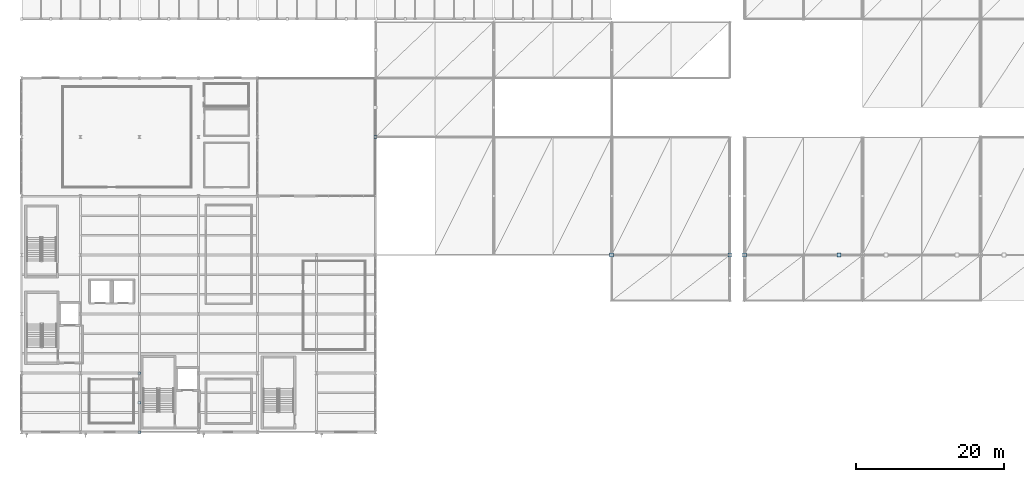
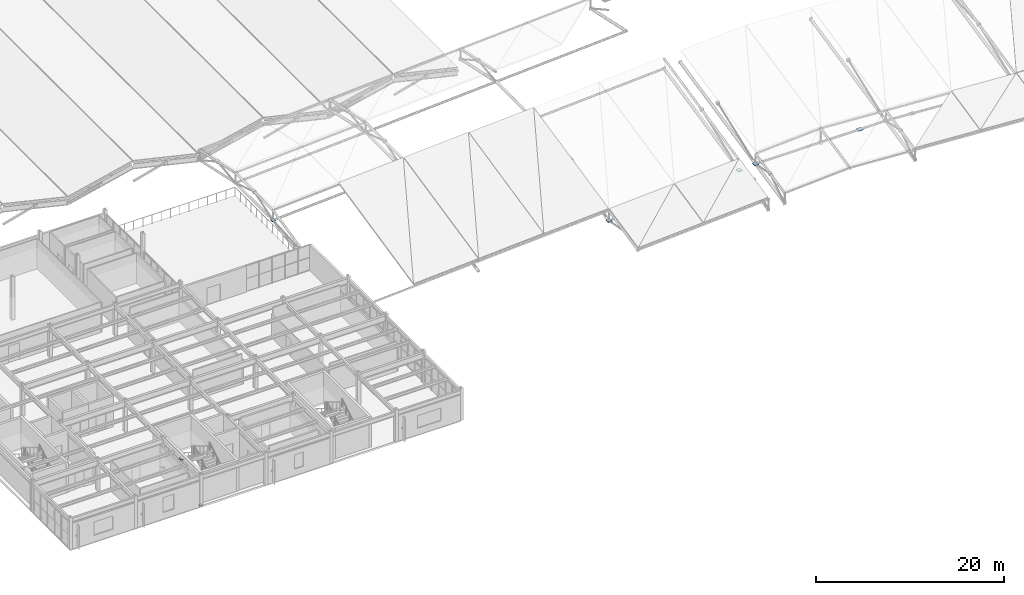
# One storey, part 40 of 67: 8 plates.
"""IFC4 building model written with IfcOpenShell, lengths in metres."""

from ifc_helpers import new_model, si_unit, direction, frame, origin, origin_2d, place, context, subcontext, project, spatial, rectangle, extrude, material, layer, layer_set, type_object, element, save


model = new_model("IFC4")

# Units and contexts
model_context = context("Model", 3, precision=1e-05, world=origin(), true_north=direction((0.0, 1.0)))
body_context = subcontext(model_context, "Body", "Model", "MODEL_VIEW")
ifc_project = project(units=[si_unit("LENGTHUNIT", "METRE"), si_unit("AREAUNIT", "SQUARE_METRE"), si_unit("VOLUMEUNIT", "CUBIC_METRE"), si_unit("PLANEANGLEUNIT", "RADIAN"), si_unit("MASSUNIT", "GRAM", prefix="KILO")], contexts=[model_context])

# Site, building, storey
site_placement = place(None, origin())
site = spatial("IfcSite", under=ifc_project, at=site_placement, CompositionType="ELEMENT")
building_placement = place(site_placement, origin())
building = spatial("IfcBuilding", under=site, at=building_placement, Name="Drelvath Fold Interchange", CompositionType="ELEMENT")
storey_placement = place(building_placement, frame((0.0, 0.0, 15.60009765625)))
storey = spatial("IfcBuildingStorey", under=building, at=storey_placement, Name="L03", CompositionType="ELEMENT", Elevation=15.60009765625)

# Plates
ifc_material = material(Name="Steel ASTM A572 Grade 50", Category="steel")
ifc_layer_1 = layer(ifc_material, 0.080078125, Name="Steel ASTM A572 Grade 50")
ifc_layer_set_1 = layer_set([ifc_layer_1], Name="Steel ASTM A572 Grade 50")
plate_type_1 = type_object("IfcPlateType", Name="SN-01", PredefinedType="USERDEFINED", material=ifc_layer_set_1)
for number, where, z_axis, x_axis, name in (
    (1, (84.0, 27.0, 0.015869140625), (0.0, 0.0, 1.0), (1.0, 0.0, 0.0), "Space frame column bearing node SN-01"),
    (2, (100.0, 27.0, 0.978759765625), (0.0, 0.0, 1.0), (1.0, 0.0, 0.0), "Space frame column bearing node SN-01"),
    (3, (102.0, 27.0, 1.098876953125), (0.0, 0.0, 1.0), (1.0, 0.0, 0.0), "Space frame column bearing node SN-01"),
):
    element("IfcPlate", number, at=place(storey_placement, frame(where, z_axis=z_axis, x_axis=x_axis)), inside=storey, type_object=plate_type_1, Name=name, ObjectType="GUSSET PLATE", PredefinedType="USERDEFINED", context=body_context, shape_type="SweptSolid", body=[
        extrude(rectangle(XDim=0.52001953125, YDim=0.52001953125, at=origin_2d()), origin(), (0.0, 0.0, 1.0), 0.080078125),
    ])
ifc_layer_2 = layer(ifc_material, 0.06005859375, Name="Steel ASTM A572 Grade 50")
ifc_layer_set_2 = layer_set([ifc_layer_2], Name="Steel ASTM A572 Grade 50")
plate_type_2 = type_object("IfcPlateType", Name="SN-02", PredefinedType="USERDEFINED", material=ifc_layer_set_2)
plate_1_placement = place(storey_placement, frame((52.0, 43.0, 1.58984375), z_axis=(0.0, 0.0, 1.0), x_axis=(1.0, 0.0, 0.0)))
element("IfcPlate", 4, at=plate_1_placement, inside=storey, type_object=plate_type_2, Name="Space frame spine node SN-02", ObjectType="GUSSET PLATE", PredefinedType="USERDEFINED", context=body_context, shape_type="SweptSolid", body=[
    extrude(rectangle(XDim=0.43994140625, YDim=0.43994140625, at=origin_2d()), origin(), (0.0, 0.0, 1.0), 0.06005859375),
])
ifc_layer_3 = layer(ifc_material, 0.030029296875, Name="Steel ASTM A572 Grade 50")
ifc_layer_set_3 = layer_set([ifc_layer_3], Name="Steel ASTM A572 Grade 50")
plate_type_3 = type_object("IfcPlateType", Name="SN-04", PredefinedType="SHEET", material=ifc_layer_set_3)
for number, where, z_axis, x_axis, name in (
    (5, (20.0, 7.0, 3.65576171875), (0.0, 0.0, 1.0), (1.0, 0.0, 0.0), "Braced frame chevron apex gusset SN-04"),
    (6, (20.0, 3.0, 0.14501953125), (0.0, 0.0, 1.0), (1.0, 0.0, 0.0), "Braced frame column base gusset SN-04"),
    (7, (20.0, 11.0, 0.14501953125), (0.0, 0.0, 1.0), (1.0, 0.0, 0.0), "Braced frame column base gusset SN-04"),
):
    element("IfcPlate", number, at=place(storey_placement, frame(where, z_axis=z_axis, x_axis=x_axis)), inside=storey, type_object=plate_type_3, Name=name, PredefinedType="SHEET", context=body_context, shape_type="SweptSolid", body=[
        extrude(rectangle(XDim=0.360107421875, YDim=0.360107421875, at=origin_2d()), origin(), (0.0, 0.0, 1.0), 0.030029296875),
    ])
ifc_layer_4 = layer(ifc_material, 0.070068359375, Name="Steel ASTM A572 Grade 50")
ifc_layer_set_4 = layer_set([ifc_layer_4], Name="Steel ASTM A572 Grade 50")
plate_type_4 = type_object("IfcPlateType", Name="VN-02", PredefinedType="USERDEFINED", material=ifc_layer_set_4)
plate_2_placement = place(storey_placement, frame((114.800048828125, 27.0, 1.10205078125), z_axis=(0.0, 0.0, 1.0), x_axis=(1.0, 0.0, 0.0)))
element("IfcPlate", 8, at=plate_2_placement, inside=storey, type_object=plate_type_4, Name="Canopy V-strut head gusset VN-02", ObjectType="GUSSET PLATE", PredefinedType="USERDEFINED", context=body_context, shape_type="SweptSolid", body=[
    extrude(rectangle(XDim=0.56005859375, YDim=0.56005859375, at=origin_2d()), origin(), (0.0, 0.0, 1.0), 0.070068359375),
])

save(model, "model.ifc")
